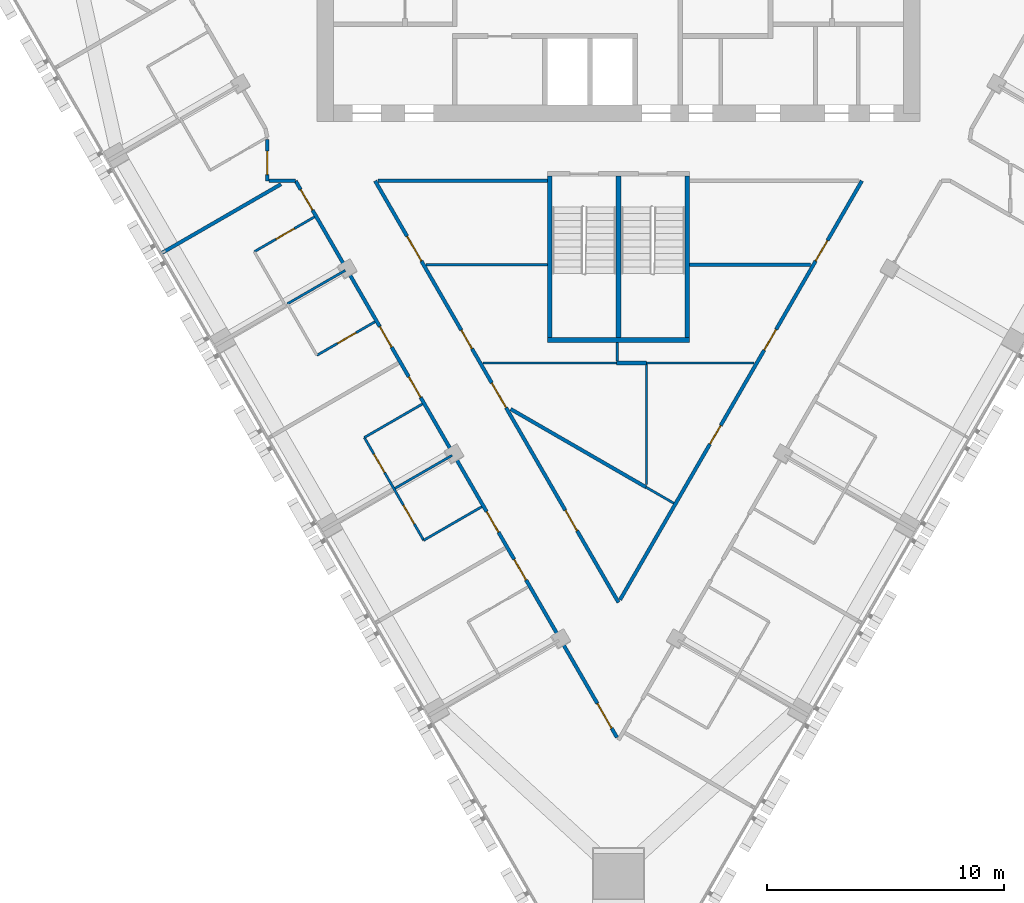
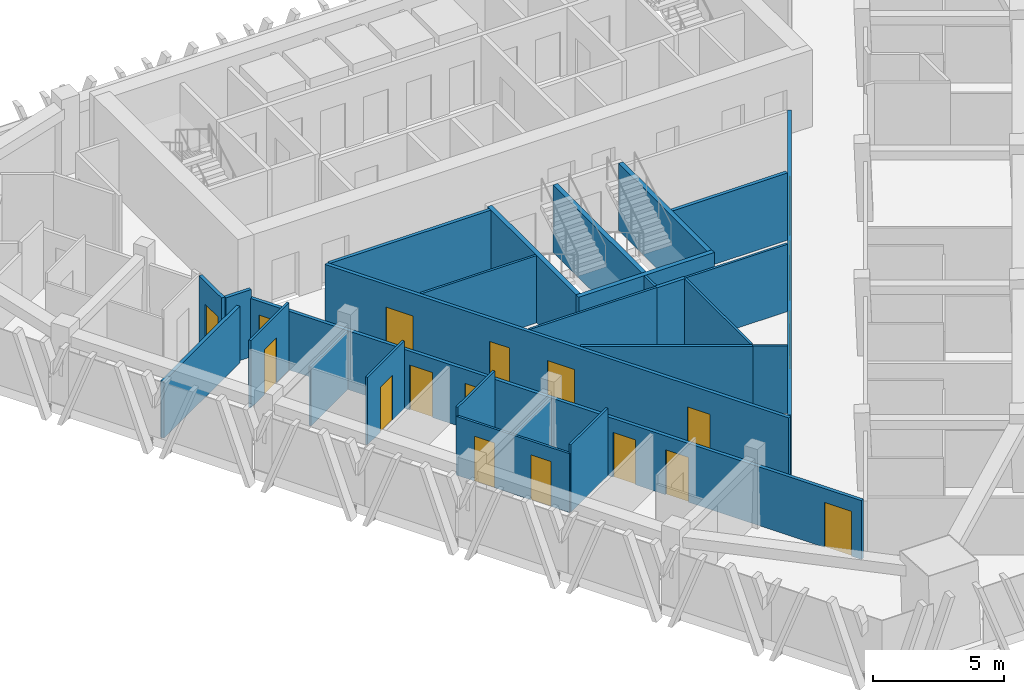
# One storey, part 9 of 16: 27 walls, 18 doors, 18 openings.
"""IFC4 building model written with IfcOpenShell, lengths in metres."""

from ifc_helpers import new_model, si_unit, direction, frame, frame_2d, origin, place, context, subcontext, project, spatial, rectangle, extrude, material, layer, layer_set, type_object, element, fill, save


model = new_model("IFC4")

# Units and contexts
model_context = context("Model", 3, precision=1e-05, world=origin(), true_north=direction((0.0, 1.0)))
body_context = subcontext(model_context, "Body", "Model", "MODEL_VIEW")
ifc_project = project(units=[si_unit("LENGTHUNIT", "METRE"), si_unit("AREAUNIT", "SQUARE_METRE"), si_unit("VOLUMEUNIT", "CUBIC_METRE"), si_unit("PLANEANGLEUNIT", "RADIAN"), si_unit("MASSUNIT", "GRAM", prefix="KILO")], contexts=[model_context])

# Site, building, storey
site_placement = place(None, origin())
site = spatial("IfcSite", under=ifc_project, at=site_placement, CompositionType="ELEMENT")
building_placement = place(site_placement, origin())
building = spatial("IfcBuilding", under=site, at=building_placement, Name="Altiplano Prism Tower", CompositionType="ELEMENT")
storey_placement = place(building_placement, frame((0.0, 0.0, 178.199951171875)))
storey = spatial("IfcBuildingStorey", under=building, at=storey_placement, Name="L46", CompositionType="ELEMENT", Elevation=178.199951171875)

# Wall, opening, door
ifc_material_1 = material(Name="Plasterboard on steel stud", Category="steel")
ifc_layer_1 = layer(ifc_material_1, 0.10009765625)
ifc_layer_set_1 = layer_set([ifc_layer_1], Name="Plasterboard on steel stud")
wall_type_1 = type_object("IfcWallType", Name="Partition 100 unit", PredefinedType="PARTITIONING", material=ifc_layer_set_1)
wall_1_placement = place(storey_placement, frame((69.654052734375, 87.2177734375, 0.0), z_axis=(0.0, 0.0, 1.0), x_axis=(0.866046596414, 0.499963291492, 0.0)))
wall_1 = element("IfcWall", 1, at=wall_1_placement, inside=storey, type_object=wall_type_1, Name="Partition P02 L46 053", PredefinedType="PARTITIONING", context=body_context, shape_type="SweptSolid", body=[
    extrude(rectangle(XDim=2.925048828125, YDim=0.10009765625, at=frame_2d((1.46240234375, 0.0))), origin(), (0.0, 0.0, 1.0), 3.150146484375),
])
opening_1_placement = place(wall_1_placement, frame((1.050048828125, 0.0, 0.0)))
opening_1 = element("IfcOpeningElement", 2, at=opening_1_placement, cuts=wall_1, Name="Opening D1622", PredefinedType="OPENING", context=body_context, shape_type="SweptSolid", body=[
    extrude(rectangle(XDim=0.89990234375, YDim=2.10009765625, at=frame_2d((0.449951171875, 1.050048828125))), frame((0.0, 0.060546875, 0.0), z_axis=(0.0, -1.0, 0.0), x_axis=(1.0, 0.0, 0.0)), (0.0, 0.0, 1.0), 0.12109375),
])
ifc_material_2 = material(Name="Timber", Category="wood")
door_type_1 = type_object("IfcDoorType", Name="Ensuite door 900 x 2100", OperationType="NOTDEFINED", PredefinedType="NOTDEFINED", material=ifc_material_2)
door_1_placement = place(opening_1_placement, origin())
door_1 = element("IfcDoor", 3, at=door_1_placement, inside=storey, type_object=door_type_1, Name="Door D1622", OperationType="SINGLE_SWING_RIGHT", OverallHeight=2.10009765625, OverallWidth=0.89990234375, PredefinedType="NOTDEFINED", context=body_context, shape_type="SweptSolid", body=[
    extrude(rectangle(XDim=0.89990234375, YDim=2.10009765625, at=frame_2d((0.449951171875, 1.050048828125))), frame((0.0, 0.02490234375, 0.0), z_axis=(0.0, -1.0, 0.0), x_axis=(1.0, 0.0, 0.0)), (0.0, 0.0, 1.0), 0.050048828125),
])
fill(opening_1, door_1)

wall_2_placement = place(storey_placement, frame((74.7373046875, 84.263427734375, 0.0), z_axis=(0.0, 0.0, 1.0), x_axis=(-0.866048868473, -0.499959355765, 0.0)))
wall_2 = element("IfcWall", 4, at=wall_2_placement, inside=storey, type_object=wall_type_1, Name="Partition P02 L46 056", PredefinedType="PARTITIONING", context=body_context, shape_type="SweptSolid", body=[
    extrude(rectangle(XDim=2.824951171875, YDim=0.10009765625, at=frame_2d((1.41259765625, 0.0))), origin(), (0.0, 0.0, 1.0), 3.150146484375),
])
opening_2_placement = place(wall_2_placement, frame((0.925048828125, 0.0, 0.0)))
opening_2 = element("IfcOpeningElement", 5, at=opening_2_placement, cuts=wall_2, Name="Opening D1624", PredefinedType="OPENING", context=body_context, shape_type="SweptSolid", body=[
    extrude(rectangle(XDim=0.89990234375, YDim=2.10009765625, at=frame_2d((0.449951171875, 1.050048828125))), frame((0.0, 0.060546875, 0.0), z_axis=(0.0, -1.0, 0.0), x_axis=(1.0, 0.0, 0.0)), (0.0, 0.0, 1.0), 0.12109375),
])
door_2_placement = place(opening_2_placement, origin())
door_2 = element("IfcDoor", 6, at=door_2_placement, inside=storey, type_object=door_type_1, Name="Door D1624", OperationType="SINGLE_SWING_RIGHT", OverallHeight=2.10009765625, OverallWidth=0.89990234375, PredefinedType="NOTDEFINED", context=body_context, shape_type="SweptSolid", body=[
    extrude(rectangle(XDim=0.89990234375, YDim=2.10009765625, at=frame_2d((0.449951171875, 1.050048828125))), frame((0.0, 0.02490234375, 0.0), z_axis=(0.0, -1.0, 0.0), x_axis=(1.0, 0.0, 0.0)), (0.0, 0.0, 1.0), 0.050048828125),
])
fill(opening_2, door_2)

# Walls
for number, where, z_axis, x_axis, name in (
    (7, (74.290771484375, 79.386962890625, 0.0), (0.0, 0.0, 1.0), (0.866048868473, 0.499959355765, 0.0), "Partition P02 L46 059"),
    (8, (79.2373046875, 76.46923828125, 0.0), (0.0, 0.0, 1.0), (-0.866011447264, -0.500024172624, 0.0), "Partition P02 L46 062"),
):
    element("IfcWall", number, at=place(storey_placement, frame(where, z_axis=z_axis, x_axis=x_axis)), inside=storey, type_object=wall_type_1, Name=name, PredefinedType="PARTITIONING", context=body_context, shape_type="SweptSolid", body=[
        extrude(rectangle(XDim=2.824951171875, YDim=0.10009765625, at=frame_2d((1.41259765625, 0.0))), origin(), (0.0, 0.0, 1.0), 3.150146484375),
    ])

# Wall, openings, doors
wall_3_placement = place(storey_placement, frame((76.790771484375, 75.056640625, 0.0), z_axis=(0.0, 0.0, 1.0), x_axis=(-0.499983091616, 0.866035165624, 0.0)))
wall_3 = element("IfcWall", 9, at=wall_3_placement, inside=storey, type_object=wall_type_1, Name="Partition P02 L46 063", PredefinedType="PARTITIONING", context=body_context, shape_type="SweptSolid", body=[
    extrude(rectangle(XDim=5.000244140625, YDim=0.10009765625, at=frame_2d((2.5, 0.0))), origin(), (0.0, 0.0, 1.0), 2.75),
])
opening_3_placement = place(wall_3_placement, frame((3.300048828125, 0.0, 0.0)))
opening_3 = element("IfcOpeningElement", 10, at=opening_3_placement, cuts=wall_3, Name="Opening D1626", PredefinedType="OPENING", context=body_context, shape_type="SweptSolid", body=[
    extrude(rectangle(XDim=0.89990234375, YDim=2.10009765625, at=frame_2d((0.449951171875, 1.050048828125))), frame((0.0, 0.060546875, 0.0), z_axis=(0.0, -1.0, 0.0), x_axis=(1.0, 0.0, 0.0)), (0.0, 0.0, 1.0), 0.12109375),
])
opening_4_placement = place(wall_3_placement, frame((0.800048828125, 0.0, 0.0)))
opening_4 = element("IfcOpeningElement", 11, at=opening_4_placement, cuts=wall_3, Name="Opening D1628", PredefinedType="OPENING", context=body_context, shape_type="SweptSolid", body=[
    extrude(rectangle(XDim=0.89990234375, YDim=2.10009765625, at=frame_2d((0.449951171875, 1.050048828125))), frame((0.0, 0.060546875, 0.0), z_axis=(0.0, -1.0, 0.0), x_axis=(1.0, 0.0, 0.0)), (0.0, 0.0, 1.0), 0.12109375),
])
door_3_placement = place(opening_3_placement, origin())
door_3 = element("IfcDoor", 12, at=door_3_placement, inside=storey, type_object=door_type_1, Name="Door D1626", OperationType="SINGLE_SWING_LEFT", OverallHeight=2.10009765625, OverallWidth=0.89990234375, PredefinedType="NOTDEFINED", context=body_context, shape_type="SweptSolid", body=[
    extrude(rectangle(XDim=0.89990234375, YDim=2.10009765625, at=frame_2d((0.449951171875, 1.050048828125))), frame((0.0, 0.02490234375, 0.0), z_axis=(0.0, -1.0, 0.0), x_axis=(1.0, 0.0, 0.0)), (0.0, 0.0, 1.0), 0.050048828125),
])
fill(opening_3, door_3)
door_4_placement = place(opening_4_placement, origin())
door_4 = element("IfcDoor", 13, at=door_4_placement, inside=storey, type_object=door_type_1, Name="Door D1628", OperationType="SINGLE_SWING_RIGHT", OverallHeight=2.10009765625, OverallWidth=0.89990234375, PredefinedType="NOTDEFINED", context=body_context, shape_type="SweptSolid", body=[
    extrude(rectangle(XDim=0.89990234375, YDim=2.10009765625, at=frame_2d((0.449951171875, 1.050048828125))), frame((0.0, 0.02490234375, 0.0), z_axis=(0.0, -1.0, 0.0), x_axis=(1.0, 0.0, 0.0)), (0.0, 0.0, 1.0), 0.050048828125),
])
fill(opening_4, door_4)

# Walls
ifc_layer_2 = layer(ifc_material_1, 0.10009765625)
ifc_layer_set_2 = layer_set([ifc_layer_2], Name="Plasterboard on steel stud")
wall_type_2 = type_object("IfcWallType", Name="Partition 100 wet", PredefinedType="PARTITIONING", material=ifc_layer_set_2)
wall_4_placement = place(storey_placement, frame((90.708984375, 82.52587890625, 0.0), z_axis=(0.0, 0.0, 1.0), x_axis=(-1.0, 0.0, 0.0)))
element("IfcWall", 14, at=wall_4_placement, inside=storey, type_object=wall_type_2, Name="Partition P03 L46 034", PredefinedType="PARTITIONING", context=body_context, shape_type="SweptSolid", body=[
    extrude(rectangle(XDim=4.551513671875, YDim=0.10009765625, at=frame_2d((2.27587890625, 0.0))), origin(), (0.0, 0.0, 1.0), 3.150146484375),
])
wall_5_placement = place(storey_placement, frame((86.157470703125, 77.294921875, 0.0), z_axis=(0.0, 0.0, 1.0), x_axis=(0.866044168464, -0.499967497213, 0.0)))
element("IfcWall", 15, at=wall_5_placement, inside=storey, type_object=wall_type_2, Name="Partition P03 L46 035", PredefinedType="PARTITIONING", context=body_context, shape_type="SweptSolid", body=[
    extrude(rectangle(XDim=1.35107421875, YDim=0.10009765625, at=frame_2d((0.675537109375, 0.0))), origin(), (0.0, 0.0, 1.0), 3.150146484375),
])
wall_6_placement = place(storey_placement, frame((86.177490234375, 82.52587890625, 0.0), z_axis=(0.0, 0.0, 1.0), x_axis=(0.0, -1.0, 0.0)))
element("IfcWall", 16, at=wall_6_placement, inside=storey, type_object=wall_type_2, Name="Partition P03 L46 036", PredefinedType="PARTITIONING", context=body_context, shape_type="SweptSolid", body=[
    extrude(rectangle(XDim=5.127197265625, YDim=0.10009765625, at=frame_2d((2.5634765625, 0.0))), origin(), (0.0, 0.0, 1.0), 3.150146484375),
])
wall_7_placement = place(storey_placement, frame((84.9404296875, 82.60107421875, 0.0), z_axis=(0.0, 0.0, 1.0), x_axis=(0.0, 1.0, 0.0)))
element("IfcWall", 17, at=wall_7_placement, inside=storey, type_object=wall_type_2, Name="Partition P03 L46 037", PredefinedType="PARTITIONING", context=body_context, shape_type="SweptSolid", body=[
    extrude(rectangle(XDim=0.798828125, YDim=0.10009765625, at=frame_2d((0.3994140625, 0.0))), origin(), (0.0, 0.0, 1.0), 3.150146484375),
])
wall_8_placement = place(storey_placement, frame((82.0, 86.673828125, 0.0), z_axis=(0.0, 0.0, 1.0), x_axis=(-1.0, 0.0, 0.0)))
element("IfcWall", 18, at=wall_8_placement, inside=storey, type_object=wall_type_2, Name="Partition P03 L46 038", PredefinedType="PARTITIONING", context=body_context, shape_type="SweptSolid", body=[
    extrude(rectangle(XDim=5.103515625, YDim=0.10009765625, at=frame_2d((2.5517578125, 0.0))), origin(), (0.0, 0.0, 1.0), 3.150146484375),
])
wall_9_placement = place(storey_placement, frame((79.291015625, 82.52587890625, 0.0), z_axis=(0.0, 0.0, 1.0), x_axis=(1.0, 0.0, 0.0)))
element("IfcWall", 19, at=wall_9_placement, inside=storey, type_object=wall_type_2, Name="Partition P03 L46 039", PredefinedType="PARTITIONING", context=body_context, shape_type="SweptSolid", body=[
    extrude(rectangle(XDim=5.66943359375, YDim=0.10009765625, at=frame_2d((2.834716796875, 0.0))), origin(), (0.0, 0.0, 1.0), 3.150146484375),
])
wall_10_placement = place(storey_placement, frame((71.040771484375, 85.01611328125, 0.0), z_axis=(0.0, 0.0, 1.0), x_axis=(0.866048868473, 0.499959355765, 0.0)))
element("IfcWall", 20, at=wall_10_placement, inside=storey, type_object=wall_type_2, Name="Partition P03 L46 055", PredefinedType="PARTITIONING", context=body_context, shape_type="SweptSolid", body=[
    extrude(rectangle(XDim=2.824951171875, YDim=0.10009765625, at=frame_2d((1.41259765625, 0.0))), origin(), (0.0, 0.0, 1.0), 2.75),
])
wall_11_placement = place(storey_placement, frame((75.583984375, 77.246826171875, 0.0), z_axis=(0.0, 0.0, 1.0), x_axis=(0.866042014628, 0.499971228071, 0.0)))
element("IfcWall", 21, at=wall_11_placement, inside=storey, type_object=wall_type_2, Name="Partition P03 L46 061", PredefinedType="PARTITIONING", context=body_context, shape_type="SweptSolid", body=[
    extrude(rectangle(XDim=2.775146484375, YDim=0.10009765625, at=frame_2d((1.3876953125, 0.0))), origin(), (0.0, 0.0, 1.0), 2.75),
])

# Wall, openings, doors
ifc_layer_3 = layer(ifc_material_1, 0.14990234375)
ifc_layer_set_3 = layer_set([ifc_layer_3], Name="Plasterboard on steel stud")
wall_type_3 = type_object("IfcWallType", Name="Partition 150 corridor", PredefinedType="PARTITIONING", material=ifc_layer_set_3)
wall_12_placement = place(storey_placement, frame((95.2548828125, 90.199951171875, 0.0), z_axis=(0.0, 0.0, 1.0), x_axis=(-0.499996558816, -0.866027390544, 0.0)))
wall_12 = element("IfcWall", 22, at=wall_12_placement, inside=storey, type_object=wall_type_3, Name="Partition P06 L46 001", PredefinedType="PARTITIONING", context=body_context, shape_type="SweptSolid", body=[
    extrude(rectangle(XDim=20.380126953125, YDim=0.14990234375, at=frame_2d((10.18994140625, 0.0))), origin(), (0.0, 0.0, 1.0), 3.150146484375),
])
opening_5_placement = place(wall_12_placement, frame((11.902099609375, 0.0, 0.0)))
opening_5 = element("IfcOpeningElement", 23, at=opening_5_placement, cuts=wall_12, Name="Opening D1612", PredefinedType="OPENING", context=body_context, shape_type="SweptSolid", body=[
    extrude(rectangle(XDim=0.89990234375, YDim=2.10009765625, at=frame_2d((0.449951171875, 1.050048828125))), frame((0.0, 0.08544921875, 0.0), z_axis=(0.0, -1.0, 0.0), x_axis=(1.0, 0.0, 0.0)), (0.0, 0.0, 1.0), 0.1708984375),
])
opening_6_placement = place(wall_12_placement, frame((7.23291015625, 0.0, 0.0)))
opening_6 = element("IfcOpeningElement", 24, at=opening_6_placement, cuts=wall_12, Name="Opening D1614", PredefinedType="OPENING", context=body_context, shape_type="SweptSolid", body=[
    extrude(rectangle(XDim=1.0, YDim=2.10009765625, at=frame_2d((0.5, 1.050048828125))), frame((0.0, 0.08544921875, 0.0), z_axis=(0.0, -1.0, 0.0), x_axis=(1.0, 0.0, 0.0)), (0.0, 0.0, 1.0), 0.1708984375),
])
opening_7_placement = place(wall_12_placement, frame((2.89794921875, 0.0, 0.0)))
opening_7 = element("IfcOpeningElement", 25, at=opening_7_placement, cuts=wall_12, Name="Opening D1647", PredefinedType="OPENING", context=body_context, shape_type="SweptSolid", body=[
    extrude(rectangle(XDim=1.0, YDim=2.10009765625, at=frame_2d((0.5, 1.050048828125))), frame((0.0, 0.08544921875, 0.0), z_axis=(0.0, -1.0, 0.0), x_axis=(1.0, 0.0, 0.0)), (0.0, 0.0, 1.0), 0.1708984375),
])
door_type_2 = type_object("IfcDoorType", Name="Store door 1000 x 2100", OperationType="NOTDEFINED", PredefinedType="NOTDEFINED", material=ifc_material_2)
door_5_placement = place(opening_6_placement, origin())
door_5 = element("IfcDoor", 26, at=door_5_placement, inside=storey, type_object=door_type_2, Name="Door D1614", OperationType="SINGLE_SWING_RIGHT", OverallHeight=2.10009765625, OverallWidth=1.0, PredefinedType="NOTDEFINED", context=body_context, shape_type="SweptSolid", body=[
    extrude(rectangle(XDim=1.0, YDim=2.10009765625, at=frame_2d((0.5, 1.050048828125))), frame((0.0, 0.02490234375, 0.0), z_axis=(0.0, -1.0, 0.0), x_axis=(1.0, 0.0, 0.0)), (0.0, 0.0, 1.0), 0.050048828125),
])
fill(opening_6, door_5)
door_6_placement = place(opening_7_placement, origin())
door_6 = element("IfcDoor", 27, at=door_6_placement, inside=storey, type_object=door_type_2, Name="Door D1647", OperationType="SINGLE_SWING_LEFT", OverallHeight=2.10009765625, OverallWidth=1.0, PredefinedType="NOTDEFINED", context=body_context, shape_type="SweptSolid", body=[
    extrude(rectangle(XDim=1.0, YDim=2.10009765625, at=frame_2d((0.5, 1.050048828125))), frame((0.0, 0.02490234375, 0.0), z_axis=(0.0, -1.0, 0.0), x_axis=(1.0, 0.0, 0.0)), (0.0, 0.0, 1.0), 0.050048828125),
])
fill(opening_7, door_6)
door_type_3 = type_object("IfcDoorType", Name="Toilet door 900 x 2100", OperationType="NOTDEFINED", PredefinedType="NOTDEFINED", material=ifc_material_2)
door_7_placement = place(opening_5_placement, origin())
door_7 = element("IfcDoor", 28, at=door_7_placement, inside=storey, type_object=door_type_3, Name="Door D1612", OperationType="SINGLE_SWING_LEFT", OverallHeight=2.10009765625, OverallWidth=0.89990234375, PredefinedType="NOTDEFINED", context=body_context, shape_type="SweptSolid", body=[
    extrude(rectangle(XDim=0.89990234375, YDim=2.10009765625, at=frame_2d((0.449951171875, 1.050048828125))), frame((0.0, 0.02490234375, 0.0), z_axis=(0.0, -1.0, 0.0), x_axis=(1.0, 0.0, 0.0)), (0.0, 0.0, 1.0), 0.050048828125),
])
fill(opening_5, door_7)

wall_13_placement = place(storey_placement, frame((85.0, 72.43798828125, 0.0), z_axis=(0.0, 0.0, 1.0), x_axis=(-0.500000320199, 0.866025218918, 0.0)))
wall_13 = element("IfcWall", 29, at=wall_13_placement, inside=storey, type_object=wall_type_3, Name="Partition P06 L46 002", PredefinedType="PARTITIONING", context=body_context, shape_type="SweptSolid", body=[
    extrude(rectangle(XDim=20.509765625, YDim=0.14990234375, at=frame_2d((10.2548828125, 0.0))), origin(), (0.0, 0.0, 1.0), 3.150146484375),
])
opening_8_placement = place(wall_13_placement, frame((12.345947265625, 0.0, 0.0)))
opening_8 = element("IfcOpeningElement", 30, at=opening_8_placement, cuts=wall_13, Name="Opening D1613", PredefinedType="OPENING", context=body_context, shape_type="SweptSolid", body=[
    extrude(rectangle(XDim=0.89990234375, YDim=2.10009765625, at=frame_2d((0.449951171875, 1.050048828125))), frame((0.0, 0.08544921875, 0.0), z_axis=(0.0, -1.0, 0.0), x_axis=(1.0, 0.0, 0.0)), (0.0, 0.0, 1.0), 0.1708984375),
])
opening_9_placement = place(wall_13_placement, frame((3.487060546875, 0.0, 0.0)))
opening_9 = element("IfcOpeningElement", 31, at=opening_9_placement, cuts=wall_13, Name="Opening D1615", PredefinedType="OPENING", context=body_context, shape_type="SweptSolid", body=[
    extrude(rectangle(XDim=1.0, YDim=2.10009765625, at=frame_2d((0.5, 1.050048828125))), frame((0.0, 0.08544921875, 0.0), z_axis=(0.0, -1.0, 0.0), x_axis=(1.0, 0.0, 0.0)), (0.0, 0.0, 1.0), 0.1708984375),
])
opening_10_placement = place(wall_13_placement, frame((16.612060546875, 0.0, 0.0)))
opening_10 = element("IfcOpeningElement", 32, at=opening_10_placement, cuts=wall_13, Name="Opening D1648", PredefinedType="OPENING", context=body_context, shape_type="SweptSolid", body=[
    extrude(rectangle(XDim=1.199951171875, YDim=2.10009765625, at=frame_2d((0.60009765625, 1.050048828125))), frame((0.0, 0.08544921875, 0.0), z_axis=(0.0, -1.0, 0.0), x_axis=(1.0, 0.0, 0.0)), (0.0, 0.0, 1.0), 0.1708984375),
])
opening_11_placement = place(wall_13_placement, frame((9.47802734375, 0.0, 0.0)))
opening_11 = element("IfcOpeningElement", 33, at=opening_11_placement, cuts=wall_13, Name="Opening D1649", PredefinedType="OPENING", context=body_context, shape_type="SweptSolid", body=[
    extrude(rectangle(XDim=1.199951171875, YDim=2.10009765625, at=frame_2d((0.60009765625, 1.050048828125))), frame((0.0, 0.08544921875, 0.0), z_axis=(0.0, -1.0, 0.0), x_axis=(1.0, 0.0, 0.0)), (0.0, 0.0, 1.0), 0.1708984375),
])
door_type_4 = type_object("IfcDoorType", Name="Shared room door 1200 x 2100", OperationType="NOTDEFINED", PredefinedType="NOTDEFINED", material=ifc_material_2)
door_8_placement = place(opening_10_placement, origin())
door_8 = element("IfcDoor", 34, at=door_8_placement, inside=storey, type_object=door_type_4, Name="Door D1648", OperationType="SINGLE_SWING_LEFT", OverallHeight=2.10009765625, OverallWidth=1.199951171875, PredefinedType="NOTDEFINED", context=body_context, shape_type="SweptSolid", body=[
    extrude(rectangle(XDim=1.199951171875, YDim=2.10009765625, at=frame_2d((0.60009765625, 1.050048828125))), frame((0.0, 0.02490234375, 0.0), z_axis=(0.0, -1.0, 0.0), x_axis=(1.0, 0.0, 0.0)), (0.0, 0.0, 1.0), 0.050048828125),
])
fill(opening_10, door_8)
door_9_placement = place(opening_11_placement, origin())
door_9 = element("IfcDoor", 35, at=door_9_placement, inside=storey, type_object=door_type_4, Name="Door D1649", OperationType="SINGLE_SWING_LEFT", OverallHeight=2.10009765625, OverallWidth=1.199951171875, PredefinedType="NOTDEFINED", context=body_context, shape_type="SweptSolid", body=[
    extrude(rectangle(XDim=1.199951171875, YDim=2.10009765625, at=frame_2d((0.60009765625, 1.050048828125))), frame((0.0, 0.02490234375, 0.0), z_axis=(0.0, -1.0, 0.0), x_axis=(1.0, 0.0, 0.0)), (0.0, 0.0, 1.0), 0.050048828125),
])
fill(opening_11, door_9)
door_10_placement = place(opening_9_placement, origin())
door_10 = element("IfcDoor", 36, at=door_10_placement, inside=storey, type_object=door_type_2, Name="Door D1615", OperationType="SINGLE_SWING_LEFT", OverallHeight=2.10009765625, OverallWidth=1.0, PredefinedType="NOTDEFINED", context=body_context, shape_type="SweptSolid", body=[
    extrude(rectangle(XDim=1.0, YDim=2.10009765625, at=frame_2d((0.5, 1.050048828125))), frame((0.0, 0.02490234375, 0.0), z_axis=(0.0, -1.0, 0.0), x_axis=(1.0, 0.0, 0.0)), (0.0, 0.0, 1.0), 0.050048828125),
])
fill(opening_9, door_10)
door_11_placement = place(opening_8_placement, origin())
door_11 = element("IfcDoor", 37, at=door_11_placement, inside=storey, type_object=door_type_3, Name="Door D1613", OperationType="SINGLE_SWING_LEFT", OverallHeight=2.10009765625, OverallWidth=0.89990234375, PredefinedType="NOTDEFINED", context=body_context, shape_type="SweptSolid", body=[
    extrude(rectangle(XDim=0.89990234375, YDim=2.10009765625, at=frame_2d((0.449951171875, 1.050048828125))), frame((0.0, 0.02490234375, 0.0), z_axis=(0.0, -1.0, 0.0), x_axis=(1.0, 0.0, 0.0)), (0.0, 0.0, 1.0), 0.050048828125),
])
fill(opening_8, door_11)

# Wall, opening, door
wall_14_placement = place(storey_placement, frame((70.199951171875, 91.93505859375, 0.0), z_axis=(0.0, 0.0, 1.0), x_axis=(0.0, -1.0, 0.0)))
wall_14 = element("IfcWall", 38, at=wall_14_placement, inside=storey, type_object=wall_type_3, Name="Partition P06 L46 008", PredefinedType="PARTITIONING", context=body_context, shape_type="SweptSolid", body=[
    extrude(rectangle(XDim=1.735107421875, YDim=0.14990234375, at=frame_2d((0.86767578125, 0.0))), origin(), (0.0, 0.0, 1.0), 3.150146484375),
])
opening_12_placement = place(wall_14_placement, frame((0.47607421875, 0.0, 0.0)))
opening_12 = element("IfcOpeningElement", 39, at=opening_12_placement, cuts=wall_14, Name="Opening D1619", PredefinedType="OPENING", context=body_context, shape_type="SweptSolid", body=[
    extrude(rectangle(XDim=1.0, YDim=2.10009765625, at=frame_2d((0.5, 1.050048828125))), frame((0.0, 0.08544921875, 0.0), z_axis=(0.0, -1.0, 0.0), x_axis=(1.0, 0.0, 0.0)), (0.0, 0.0, 1.0), 0.1708984375),
])
door_type_5 = type_object("IfcDoorType", Name="Bedroom entrance door 1000 x 2100", OperationType="NOTDEFINED", PredefinedType="NOTDEFINED", material=ifc_material_2)
door_12_placement = place(opening_12_placement, origin())
door_12 = element("IfcDoor", 40, at=door_12_placement, inside=storey, type_object=door_type_5, Name="Door D1619", OperationType="SINGLE_SWING_RIGHT", OverallHeight=2.10009765625, OverallWidth=1.0, PredefinedType="NOTDEFINED", context=body_context, shape_type="SweptSolid", body=[
    extrude(rectangle(XDim=1.0, YDim=2.10009765625, at=frame_2d((0.5, 1.050048828125))), frame((0.0, 0.02490234375, 0.0), z_axis=(0.0, -1.0, 0.0), x_axis=(1.0, 0.0, 0.0)), (0.0, 0.0, 1.0), 0.050048828125),
])
fill(opening_12, door_12)

# Wall
wall_15_placement = place(storey_placement, frame((70.27490234375, 90.199951171875, 0.0), z_axis=(0.0, 0.0, 1.0), x_axis=(1.0, 0.0, 0.0)))
element("IfcWall", 41, at=wall_15_placement, inside=storey, type_object=wall_type_3, Name="Partition P06 L46 009", PredefinedType="PARTITIONING", context=body_context, shape_type="SweptSolid", body=[
    extrude(rectangle(XDim=1.12158203125, YDim=0.14990234375, at=frame_2d((0.560791015625, 0.0))), origin(), (0.0, 0.0, 1.0), 3.150146484375),
])

# Wall, openings, doors
wall_16_placement = place(storey_placement, frame((71.396484375, 90.199951171875, 0.0), z_axis=(0.0, 0.0, 1.0), x_axis=(0.500000568002, -0.866025075848, 0.0)))
wall_16 = element("IfcWall", 42, at=wall_16_placement, inside=storey, type_object=wall_type_3, Name="Partition P06 L46 011", PredefinedType="PARTITIONING", context=body_context, shape_type="SweptSolid", body=[
    extrude(rectangle(XDim=27.0771484375, YDim=0.14990234375, at=frame_2d((13.53857421875, 0.0))), origin(), (0.0, 0.0, 1.0), 2.75),
])
opening_13_placement = place(wall_16_placement, frame((0.4189453125, 0.0, 0.0)))
opening_13 = element("IfcOpeningElement", 43, at=opening_13_placement, cuts=wall_16, Name="Opening D1621", PredefinedType="OPENING", context=body_context, shape_type="SweptSolid", body=[
    extrude(rectangle(XDim=1.0, YDim=2.10009765625, at=frame_2d((0.5, 1.050048828125))), frame((0.0, 0.08544921875, 0.0), z_axis=(0.0, -1.0, 0.0), x_axis=(1.0, 0.0, 0.0)), (0.0, 0.0, 1.0), 0.1708984375),
])
opening_14_placement = place(wall_16_placement, frame((7.091064453125, 0.0, 0.0)))
opening_14 = element("IfcOpeningElement", 44, at=opening_14_placement, cuts=wall_16, Name="Opening D1623", PredefinedType="OPENING", context=body_context, shape_type="SweptSolid", body=[
    extrude(rectangle(XDim=1.0, YDim=2.10009765625, at=frame_2d((0.5, 1.050048828125))), frame((0.0, 0.08544921875, 0.0), z_axis=(0.0, -1.0, 0.0), x_axis=(1.0, 0.0, 0.0)), (0.0, 0.0, 1.0), 0.1708984375),
])
opening_15_placement = place(wall_16_placement, frame((9.531982421875, 0.0, 0.0)))
opening_15 = element("IfcOpeningElement", 45, at=opening_15_placement, cuts=wall_16, Name="Opening D1625", PredefinedType="OPENING", context=body_context, shape_type="SweptSolid", body=[
    extrude(rectangle(XDim=1.0, YDim=2.10009765625, at=frame_2d((0.5, 1.050048828125))), frame((0.0, 0.08544921875, 0.0), z_axis=(0.0, -1.0, 0.0), x_axis=(1.0, 0.0, 0.0)), (0.0, 0.0, 1.0), 0.1708984375),
])
opening_16_placement = place(wall_16_placement, frame((16.091064453125, 0.0, 0.0)))
opening_16 = element("IfcOpeningElement", 46, at=opening_16_placement, cuts=wall_16, Name="Opening D1627", PredefinedType="OPENING", context=body_context, shape_type="SweptSolid", body=[
    extrude(rectangle(XDim=1.0, YDim=2.10009765625, at=frame_2d((0.5, 1.050048828125))), frame((0.0, 0.08544921875, 0.0), z_axis=(0.0, -1.0, 0.0), x_axis=(1.0, 0.0, 0.0)), (0.0, 0.0, 1.0), 0.1708984375),
])
opening_17_placement = place(wall_16_placement, frame((18.416015625, 0.0, 0.0)))
opening_17 = element("IfcOpeningElement", 47, at=opening_17_placement, cuts=wall_16, Name="Opening D1629", PredefinedType="OPENING", context=body_context, shape_type="SweptSolid", body=[
    extrude(rectangle(XDim=1.0, YDim=2.10009765625, at=frame_2d((0.5, 1.050048828125))), frame((0.0, 0.08544921875, 0.0), z_axis=(0.0, -1.0, 0.0), x_axis=(1.0, 0.0, 0.0)), (0.0, 0.0, 1.0), 0.1708984375),
])
opening_18_placement = place(wall_16_placement, frame((25.431884765625, 0.0, 0.0)))
opening_18 = element("IfcOpeningElement", 48, at=opening_18_placement, cuts=wall_16, Name="Opening D1631", PredefinedType="OPENING", context=body_context, shape_type="SweptSolid", body=[
    extrude(rectangle(XDim=1.199951171875, YDim=2.10009765625, at=frame_2d((0.60009765625, 1.050048828125))), frame((0.0, 0.08544921875, 0.0), z_axis=(0.0, -1.0, 0.0), x_axis=(1.0, 0.0, 0.0)), (0.0, 0.0, 1.0), 0.1708984375),
])
door_13_placement = place(opening_13_placement, origin())
door_13 = element("IfcDoor", 49, at=door_13_placement, inside=storey, type_object=door_type_5, Name="Door D1621", OperationType="SINGLE_SWING_RIGHT", OverallHeight=2.10009765625, OverallWidth=1.0, PredefinedType="NOTDEFINED", context=body_context, shape_type="SweptSolid", body=[
    extrude(rectangle(XDim=1.0, YDim=2.10009765625, at=frame_2d((0.5, 1.050048828125))), frame((0.0, 0.02490234375, 0.0), z_axis=(0.0, -1.0, 0.0), x_axis=(1.0, 0.0, 0.0)), (0.0, 0.0, 1.0), 0.050048828125),
])
fill(opening_13, door_13)
door_14_placement = place(opening_14_placement, origin())
door_14 = element("IfcDoor", 50, at=door_14_placement, inside=storey, type_object=door_type_5, Name="Door D1623", OperationType="SINGLE_SWING_LEFT", OverallHeight=2.10009765625, OverallWidth=1.0, PredefinedType="NOTDEFINED", context=body_context, shape_type="SweptSolid", body=[
    extrude(rectangle(XDim=1.0, YDim=2.10009765625, at=frame_2d((0.5, 1.050048828125))), frame((0.0, 0.02490234375, 0.0), z_axis=(0.0, -1.0, 0.0), x_axis=(1.0, 0.0, 0.0)), (0.0, 0.0, 1.0), 0.050048828125),
])
fill(opening_14, door_14)
door_15_placement = place(opening_15_placement, origin())
door_15 = element("IfcDoor", 51, at=door_15_placement, inside=storey, type_object=door_type_5, Name="Door D1625", OperationType="SINGLE_SWING_RIGHT", OverallHeight=2.10009765625, OverallWidth=1.0, PredefinedType="NOTDEFINED", context=body_context, shape_type="SweptSolid", body=[
    extrude(rectangle(XDim=1.0, YDim=2.10009765625, at=frame_2d((0.5, 1.050048828125))), frame((0.0, 0.02490234375, 0.0), z_axis=(0.0, -1.0, 0.0), x_axis=(1.0, 0.0, 0.0)), (0.0, 0.0, 1.0), 0.050048828125),
])
fill(opening_15, door_15)
door_16_placement = place(opening_16_placement, origin())
door_16 = element("IfcDoor", 52, at=door_16_placement, inside=storey, type_object=door_type_5, Name="Door D1627", OperationType="SINGLE_SWING_RIGHT", OverallHeight=2.10009765625, OverallWidth=1.0, PredefinedType="NOTDEFINED", context=body_context, shape_type="SweptSolid", body=[
    extrude(rectangle(XDim=1.0, YDim=2.10009765625, at=frame_2d((0.5, 1.050048828125))), frame((0.0, 0.02490234375, 0.0), z_axis=(0.0, -1.0, 0.0), x_axis=(1.0, 0.0, 0.0)), (0.0, 0.0, 1.0), 0.050048828125),
])
fill(opening_16, door_16)
door_17_placement = place(opening_17_placement, origin())
door_17 = element("IfcDoor", 53, at=door_17_placement, inside=storey, type_object=door_type_5, Name="Door D1629", OperationType="SINGLE_SWING_RIGHT", OverallHeight=2.10009765625, OverallWidth=1.0, PredefinedType="NOTDEFINED", context=body_context, shape_type="SweptSolid", body=[
    extrude(rectangle(XDim=1.0, YDim=2.10009765625, at=frame_2d((0.5, 1.050048828125))), frame((0.0, 0.02490234375, 0.0), z_axis=(0.0, -1.0, 0.0), x_axis=(1.0, 0.0, 0.0)), (0.0, 0.0, 1.0), 0.050048828125),
])
fill(opening_17, door_17)
door_18_placement = place(opening_18_placement, origin())
door_18 = element("IfcDoor", 54, at=door_18_placement, inside=storey, type_object=door_type_4, Name="Door D1631", OperationType="SINGLE_SWING_LEFT", OverallHeight=2.10009765625, OverallWidth=1.199951171875, PredefinedType="NOTDEFINED", context=body_context, shape_type="SweptSolid", body=[
    extrude(rectangle(XDim=1.199951171875, YDim=2.10009765625, at=frame_2d((0.60009765625, 1.050048828125))), frame((0.0, 0.02490234375, 0.0), z_axis=(0.0, -1.0, 0.0), x_axis=(1.0, 0.0, 0.0)), (0.0, 0.0, 1.0), 0.050048828125),
])
fill(opening_18, door_18)

# Walls
wall_17_placement = place(storey_placement, frame((74.875, 90.199951171875, 0.0), z_axis=(0.0, 0.0, 1.0), x_axis=(1.0, 0.0, 0.0)))
element("IfcWall", 55, at=wall_17_placement, inside=storey, type_object=wall_type_3, Name="Partition P06 L46 033", PredefinedType="PARTITIONING", context=body_context, shape_type="SweptSolid", body=[
    extrude(rectangle(XDim=7.125, YDim=0.14990234375, at=frame_2d((3.5625, 0.0))), origin(), (0.0, 0.0, 1.0), 3.150146484375),
])
ifc_layer_4 = layer(ifc_material_1, 0.14990234375)
ifc_layer_set_4 = layer_set([ifc_layer_4], Name="Plasterboard on steel stud")
wall_type_4 = type_object("IfcWallType", Name="Partition 150 party", PredefinedType="PARTITIONING", material=ifc_layer_set_4)
wall_18_placement = place(storey_placement, frame((93.089111328125, 86.673828125, 0.0), z_axis=(0.0, 0.0, 1.0), x_axis=(-1.0, 0.0, 0.0)))
element("IfcWall", 56, at=wall_18_placement, inside=storey, type_object=wall_type_4, Name="Partition P01 L46 040", PredefinedType="PARTITIONING", context=body_context, shape_type="SweptSolid", body=[
    extrude(rectangle(XDim=5.089111328125, YDim=0.14990234375, at=frame_2d((2.54443359375, 0.0))), origin(), (0.0, 0.0, 1.0), 3.150146484375),
])
wall_19_placement = place(storey_placement, frame((84.92041015625, 82.52587890625, 0.0), z_axis=(0.0, 0.0, 1.0), x_axis=(1.0, 0.0, 0.0)))
element("IfcWall", 57, at=wall_19_placement, inside=storey, type_object=wall_type_4, Name="Partition P01 L46 041", PredefinedType="PARTITIONING", context=body_context, shape_type="SweptSolid", body=[
    extrude(rectangle(XDim=1.257080078125, YDim=0.14990234375, at=frame_2d((0.62841796875, 0.0))), origin(), (0.0, 0.0, 1.0), 3.150146484375),
])
wall_20_placement = place(storey_placement, frame((86.177490234375, 77.283203125, 0.0), z_axis=(0.0, 0.0, 1.0), x_axis=(-0.866021233572, 0.500007222951, 0.0)))
element("IfcWall", 58, at=wall_20_placement, inside=storey, type_object=wall_type_4, Name="Partition P01 L46 042", PredefinedType="PARTITIONING", context=body_context, shape_type="SweptSolid", body=[
    extrude(rectangle(XDim=6.60498046875, YDim=0.14990234375, at=frame_2d((3.302490234375, 0.0))), origin(), (0.0, 0.0, 1.0), 3.150146484375),
])
wall_21_placement = place(storey_placement, frame((65.7421875, 87.153076171875, 0.0), z_axis=(0.0, 0.0, 1.0), x_axis=(0.866019850528, 0.500009618399, 0.0)))
element("IfcWall", 59, at=wall_21_placement, inside=storey, type_object=wall_type_4, Name="Partition P01 L46 051", PredefinedType="PARTITIONING", context=body_context, shape_type="SweptSolid", body=[
    extrude(rectangle(XDim=5.81396484375, YDim=0.14990234375, at=frame_2d((2.906982421875, 0.0))), origin(), (0.0, 0.0, 1.0), 2.650146484375),
])
ifc_material_3 = material(Name="Concrete C60/75", Category="concrete")
ifc_layer_5 = layer(ifc_material_3, 0.199951171875)
ifc_layer_set_5 = layer_set([ifc_layer_5], Name="Concrete C60/75")
wall_type_5 = type_object("IfcWallType", Name="Stair wall 200", PredefinedType="SOLIDWALL", material=ifc_layer_set_5)
wall_22_placement = place(storey_placement, frame((82.0, 83.5, 0.0), z_axis=(0.0, 0.0, 1.0), x_axis=(1.0, 0.0, 0.0)))
element("IfcWall", 60, at=wall_22_placement, inside=storey, type_object=wall_type_5, Name="Stair 3 wall south L46", PredefinedType="SOLIDWALL", context=body_context, shape_type="SweptSolid", body=[
    extrude(rectangle(XDim=6.0, YDim=0.199951171875, at=frame_2d((3.0, 0.0))), origin(), (0.0, 0.0, 1.0), 3.150146484375),
])
for number, where, z_axis, x_axis, name in (
    (61, (82.10009765625, 83.60009765625, 0.0), (0.0, 0.0, 1.0), (0.0, 1.0, 0.0), "Stair 3 wall west L46"),
    (62, (87.89990234375, 83.60009765625, 0.0), (0.0, 0.0, 1.0), (0.0, 1.0, 0.0), "Stair 3 wall east L46"),
    (63, (85.0, 83.60009765625, 0.0), (0.0, 0.0, 1.0), (0.0, 1.0, 0.0), "Stair 3 wall divider L46"),
):
    element("IfcWall", number, at=place(storey_placement, frame(where, z_axis=z_axis, x_axis=x_axis)), inside=storey, type_object=wall_type_5, Name=name, PredefinedType="SOLIDWALL", context=body_context, shape_type="SweptSolid", body=[
        extrude(rectangle(XDim=6.7998046875, YDim=0.199951171875, at=frame_2d((3.39990234375, 0.0))), origin(), (0.0, 0.0, 1.0), 3.150146484375),
    ])

save(model, "model.ifc")
